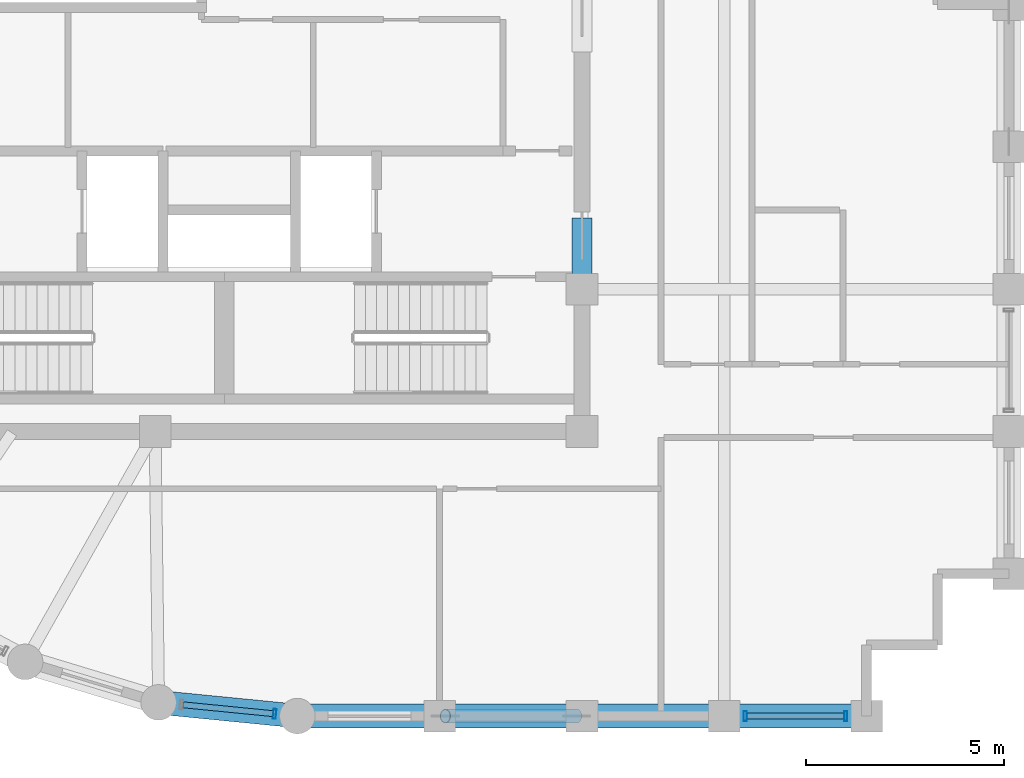
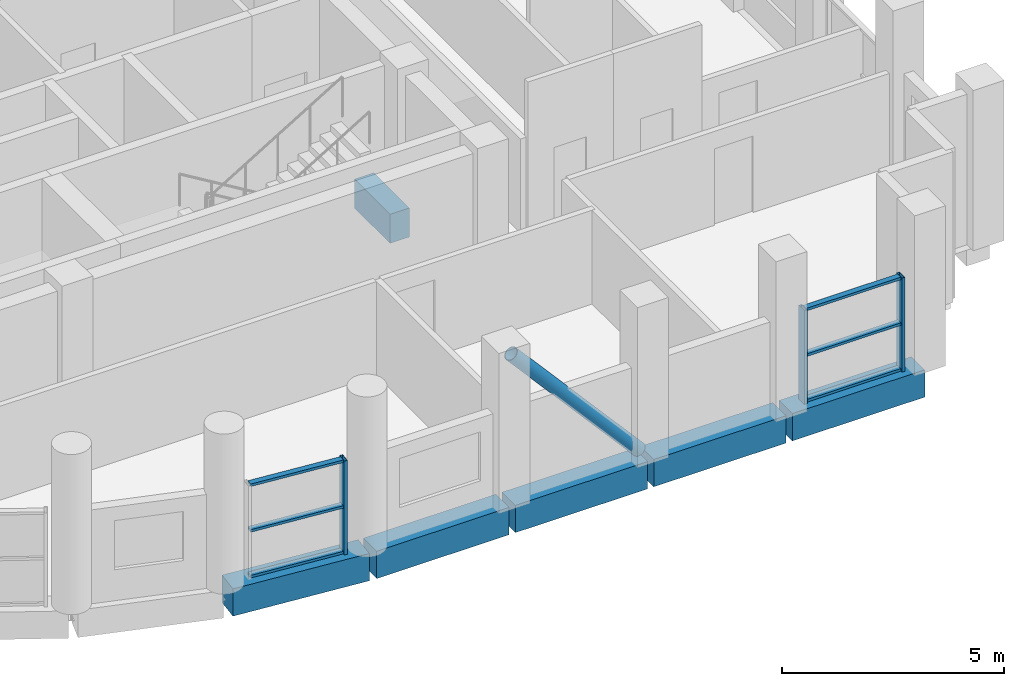
# One storey, part 3 of 14: 10 members, 6 beams, 2 elements without a shape of their own.
"""IFC4 building model written with IfcOpenShell, lengths in metres."""

from ifc_helpers import new_model, si_unit, direction, frame, origin, origin_2d, place, context, subcontext, project, spatial, rectangle, hollow_rectangle, hollow_circle, extrude, material, layer, layer_set, material_profile, profile_set, type_object, element, aggregate, save


model = new_model("IFC4")

# Units and contexts
model_context = context("Model", 3, precision=1e-05, world=origin(), true_north=direction((0.0, 1.0)))
body_context = subcontext(model_context, "Body", "Model", "MODEL_VIEW")
ifc_project = project(units=[si_unit("LENGTHUNIT", "METRE"), si_unit("AREAUNIT", "SQUARE_METRE"), si_unit("VOLUMEUNIT", "CUBIC_METRE"), si_unit("PLANEANGLEUNIT", "RADIAN"), si_unit("MASSUNIT", "GRAM", prefix="KILO")], contexts=[model_context])

# Site, building, storey
site_placement = place(None, origin())
site = spatial("IfcSite", under=ifc_project, at=site_placement, CompositionType="ELEMENT")
building_placement = place(site_placement, origin())
building = spatial("IfcBuilding", under=site, at=building_placement, Name="Solnavia Interchange Tower", CompositionType="ELEMENT")
storey_placement = place(building_placement, frame((0.0, 0.0, 299.800048828125)))
storey = spatial("IfcBuildingStorey", under=building, at=storey_placement, Name="L76", CompositionType="ELEMENT", Elevation=299.800048828125)

# Beams
ifc_material_1 = material(Name="Concrete C50/60", Category="concrete")
ifc_material_profile_1 = material_profile(ifc_material_1, rectangle(XDim=0.5, YDim=0.800048828125, at=origin_2d()), Name="RC 500x800")
ifc_profile_set_1 = profile_set([ifc_material_profile_1], Name="Concrete C50/60")
beam_type_1 = type_object("IfcBeamType", Name="Beam-Coupling-RC500x800", PredefinedType="LINTEL", material=ifc_profile_set_1)
beam_1_placement = place(storey_placement, frame((32.39990234375, 14.60009765625, -0.400146484375), z_axis=(0.0, 1.0, 0.0), x_axis=(-1.0, 0.0, 0.0)))
element("IfcBeam", 1, at=beam_1_placement, inside=storey, type_object=beam_type_1, Name="CPB-L76-E1 Core coupling lintel beam", PredefinedType="LINTEL", context=body_context, shape_type="SweptSolid", body=[
    extrude(rectangle(XDim=0.5, YDim=0.800048828125, at=origin_2d()), origin(), (0.0, 0.0, 1.0), 1.599853515625),
])
ifc_material_profile_2 = material_profile(ifc_material_1, rectangle(XDim=0.60009765625, YDim=0.75, at=origin_2d()), Name="RC 600x750")
ifc_profile_set_2 = profile_set([ifc_material_profile_2], Name="Concrete C50/60")
beam_type_2 = type_object("IfcBeamType", Name="Beam-Spandrel-RC600x750", PredefinedType="SPANDREL", material=ifc_profile_set_2)
beam_2_placement = place(storey_placement, frame((21.767578125, 3.938232421875, -0.375), z_axis=(0.995181774609, -0.098047108501, 0.0), x_axis=(0.098047108501, 0.995181774609, 0.0)))
element("IfcBeam", 2, at=beam_2_placement, inside=storey, type_object=beam_type_2, Name="SPB-L76-08 Framed-tube perimeter spandrel beam", PredefinedType="SPANDREL", context=body_context, shape_type="SweptSolid", body=[
    extrude(rectangle(XDim=0.60009765625, YDim=0.75, at=origin_2d()), origin(), (0.0, 0.0, 1.0), 3.368896484375),
])
beam_3_placement = place(storey_placement, frame((25.280029296875, 3.60009765625, -0.375), z_axis=(1.0, 0.0, 0.0), x_axis=(0.0, 1.0, 0.0)))
element("IfcBeam", 3, at=beam_3_placement, inside=storey, type_object=beam_type_2, Name="SPB-L76-09 Framed-tube perimeter spandrel beam", PredefinedType="SPANDREL", context=body_context, shape_type="SweptSolid", body=[
    extrude(rectangle(XDim=0.60009765625, YDim=0.75, at=origin_2d()), origin(), (0.0, 0.0, 1.0), 3.43994140625),
])
beam_4_placement = place(storey_placement, frame((28.8798828125, 3.60009765625, -0.375), z_axis=(1.0, 0.0, 0.0), x_axis=(0.0, 1.0, 0.0)))
element("IfcBeam", 4, at=beam_4_placement, inside=storey, type_object=beam_type_2, Name="SPB-L76-10 Framed-tube perimeter spandrel beam", PredefinedType="SPANDREL", context=body_context, shape_type="SweptSolid", body=[
    extrude(rectangle(XDim=0.60009765625, YDim=0.75, at=origin_2d()), origin(), (0.0, 0.0, 1.0), 3.440185546875),
])
for number, where, z_axis, x_axis, name in (
    (5, (32.47998046875, 3.60009765625, -0.375), (1.0, 0.0, 0.0), (0.0, 1.0, 0.0), "SPB-L76-11 Framed-tube perimeter spandrel beam"),
    (6, (36.080078125, 3.60009765625, -0.375), (1.0, 0.0, 0.0), (0.0, 1.0, 0.0), "SPB-L76-12 Framed-tube perimeter spandrel beam"),
):
    element("IfcBeam", number, at=place(storey_placement, frame(where, z_axis=z_axis, x_axis=x_axis)), inside=storey, type_object=beam_type_2, Name=name, PredefinedType="SPANDREL", context=body_context, shape_type="SweptSolid", body=[
        extrude(rectangle(XDim=0.60009765625, YDim=0.75, at=origin_2d()), origin(), (0.0, 0.0, 1.0), 3.43994140625),
    ])

# Member
ifc_material_2 = material(Name="Steel S460", Category="steel")
ifc_material_profile_3 = material_profile(ifc_material_2, hollow_circle(Radius=0.177734375, WallThickness=0.01611328125, at=origin_2d()), Name="CHS 355.6x16")
ifc_profile_set_3 = profile_set([ifc_material_profile_3], Name="Steel S460")
member_type_1 = type_object("IfcMemberType", Name="Brace-Perim-CHS355", PredefinedType="BRACE", material=ifc_profile_set_3)
member_1_placement = place(storey_placement, frame((32.260009765625, 3.60009765625, 0.179931640625), z_axis=(-0.658929871305, 0.0, 0.75220437695), x_axis=(0.0, -1.0, 0.0)))
element("IfcMember", 7, at=member_1_placement, inside=storey, type_object=member_type_1, Name="BRC-L76-01 Perimeter tube diagonal brace", PredefinedType="BRACE", context=body_context, shape_type="SweptSolid", body=[
    extrude(hollow_circle(Radius=0.177734375, WallThickness=0.01611328125, at=origin_2d()), origin(), (0.0, 0.0, 1.0), 5.03857421875),
])

# Curtain wall, members
ifc_material_3 = material(Name="Aluminium Alloy 6063-T6", Category="aluminium")
ifc_layer = layer(ifc_material_3, 0.27001953125)
ifc_layer_set = layer_set([ifc_layer], Name="Aluminium Alloy 6063-T6")
curtain_wall_type = type_object("IfcCurtainWallType", Name="CurtainWall-SkyLobby-CTW4", PredefinedType="NOTDEFINED", material=ifc_layer_set)
curtain_wall_1_placement = place(storey_placement, origin())
curtain_wall_1 = element("IfcCurtainWall", 8, at=curtain_wall_1_placement, inside=storey, type_object=curtain_wall_type, Name="CTW-L76-S04 CTW-4 curtain wall", PredefinedType="NOTDEFINED")
ifc_material_profile_4 = material_profile(ifc_material_3, hollow_rectangle(XDim=0.080078125, YDim=0.25, WallThickness=0.006103515625, at=origin_2d()), Name="ALU 250x80x6")
ifc_profile_set_4 = profile_set([ifc_material_profile_4], Name="Aluminium Alloy 6063-T6")
member_type_2 = type_object("IfcMemberType", Name="CW-Mullion-CWM-4", PredefinedType="MULLION", material=ifc_profile_set_4)
member_2_placement = place(storey_placement, frame((36.530029296875, 3.60009765625, 0.0), z_axis=(0.0, 0.0, 1.0), x_axis=(1.0, 0.0, 0.0)))
member_2 = element("IfcMember", 9, at=member_2_placement, type_object=member_type_2, Name="CTW-4 mullion 1", PredefinedType="MULLION", context=body_context, shape_type="SweptSolid", body=[
    extrude(hollow_rectangle(XDim=0.080078125, YDim=0.25, WallThickness=0.006103515625, at=origin_2d()), origin(), (0.0, 0.0, 1.0), 2.579833984375),
])
member_3_placement = place(storey_placement, frame((39.070068359375, 3.60009765625, 0.0), z_axis=(0.0, 0.0, 1.0), x_axis=(1.0, 0.0, 0.0)))
member_3 = element("IfcMember", 10, at=member_3_placement, type_object=member_type_2, Name="CTW-4 mullion 2", PredefinedType="MULLION", context=body_context, shape_type="SweptSolid", body=[
    extrude(hollow_rectangle(XDim=0.080078125, YDim=0.25, WallThickness=0.006103515625, at=origin_2d()), origin(), (0.0, 0.0, 1.0), 2.579833984375),
])

# Curtain wall, member
curtain_wall_2_placement = place(storey_placement, origin())
curtain_wall_2 = element("IfcCurtainWall", 11, at=curtain_wall_2_placement, inside=storey, type_object=curtain_wall_type, Name="CTW-L76-S44 CTW-4 curtain wall", PredefinedType="NOTDEFINED")
member_4_placement = place(storey_placement, frame((24.622802734375, 3.65673828125, 0.0), z_axis=(0.0, 0.0, 1.0), x_axis=(0.995178481157, -0.098080531415, 0.0)))
member_4 = element("IfcMember", 12, at=member_4_placement, type_object=member_type_2, Name="CTW-4 mullion 2", PredefinedType="MULLION", context=body_context, shape_type="SweptSolid", body=[
    extrude(hollow_rectangle(XDim=0.080078125, YDim=0.25, WallThickness=0.006103515625, at=origin_2d()), origin(), (0.0, 0.0, 1.0), 2.579833984375),
])

# Member
ifc_material_profile_5 = material_profile(ifc_material_3, hollow_rectangle(XDim=0.070068359375, YDim=0.14990234375, WallThickness=0.00439453125, at=origin_2d()), Name="ALU 150x70x4.5")
ifc_profile_set_5 = profile_set([ifc_material_profile_5], Name="Aluminium Alloy 6063-T6")
member_type_3 = type_object("IfcMemberType", Name="CW-Transom-CWT-4", PredefinedType="USERDEFINED", material=ifc_profile_set_5)
member_5_placement = place(storey_placement, frame((36.570068359375, 3.60009765625, 0.034912109375), z_axis=(1.0, 0.0, 0.0), x_axis=(0.0, 0.0, 1.0)))
member_5 = element("IfcMember", 13, at=member_5_placement, type_object=member_type_3, Name="CTW-4 transom 1.1", ObjectType="TRANSOM", PredefinedType="USERDEFINED", context=body_context, shape_type="SweptSolid", body=[
    extrude(hollow_rectangle(XDim=0.070068359375, YDim=0.14990234375, WallThickness=0.00439453125, at=origin_2d()), origin(), (0.0, 0.0, 1.0), 2.4599609375),
])

member_6_placement = place(storey_placement, frame((36.570068359375, 3.60009765625, 1.2900390625), z_axis=(1.0, 0.0, 0.0), x_axis=(0.0, 0.0, 1.0)))
member_6 = element("IfcMember", 14, at=member_6_placement, type_object=member_type_3, Name="CTW-4 transom 1.2", ObjectType="TRANSOM", PredefinedType="USERDEFINED", context=body_context, shape_type="SweptSolid", body=[
    extrude(hollow_rectangle(XDim=0.070068359375, YDim=0.14990234375, WallThickness=0.00439453125, at=origin_2d()), origin(), (0.0, 0.0, 1.0), 2.4599609375),
])

member_7_placement = place(storey_placement, frame((36.570068359375, 3.60009765625, 2.544921875), z_axis=(1.0, 0.0, 0.0), x_axis=(0.0, 0.0, 1.0)))
member_7 = element("IfcMember", 15, at=member_7_placement, type_object=member_type_3, Name="CTW-4 transom 1.3", ObjectType="TRANSOM", PredefinedType="USERDEFINED", context=body_context, shape_type="SweptSolid", body=[
    extrude(hollow_rectangle(XDim=0.070068359375, YDim=0.14990234375, WallThickness=0.00439453125, at=origin_2d()), origin(), (0.0, 0.0, 1.0), 2.4599609375),
])

aggregate(curtain_wall_1, [member_2, member_3, member_5, member_6, member_7])

member_8_placement = place(storey_placement, frame((22.304931640625, 3.88525390625, 0.034912109375), z_axis=(0.99517456013, -0.098120308147, 0.0), x_axis=(0.0, 0.0, 1.0)))
member_8 = element("IfcMember", 16, at=member_8_placement, type_object=member_type_3, Name="CTW-4 transom 1.1", ObjectType="TRANSOM", PredefinedType="USERDEFINED", context=body_context, shape_type="SweptSolid", body=[
    extrude(hollow_rectangle(XDim=0.070068359375, YDim=0.14990234375, WallThickness=0.00439453125, at=origin_2d()), origin(), (0.0, 0.0, 1.0), 2.2890625),
])

member_9_placement = place(storey_placement, frame((22.304931640625, 3.88525390625, 1.2900390625), z_axis=(0.99517456013, -0.098120308147, 0.0), x_axis=(0.0, 0.0, 1.0)))
member_9 = element("IfcMember", 17, at=member_9_placement, type_object=member_type_3, Name="CTW-4 transom 1.2", ObjectType="TRANSOM", PredefinedType="USERDEFINED", context=body_context, shape_type="SweptSolid", body=[
    extrude(hollow_rectangle(XDim=0.070068359375, YDim=0.14990234375, WallThickness=0.00439453125, at=origin_2d()), origin(), (0.0, 0.0, 1.0), 2.2890625),
])

member_10_placement = place(storey_placement, frame((22.304931640625, 3.88525390625, 2.544921875), z_axis=(0.99517456013, -0.098120308147, 0.0), x_axis=(0.0, 0.0, 1.0)))
member_10 = element("IfcMember", 18, at=member_10_placement, type_object=member_type_3, Name="CTW-4 transom 1.3", ObjectType="TRANSOM", PredefinedType="USERDEFINED", context=body_context, shape_type="SweptSolid", body=[
    extrude(hollow_rectangle(XDim=0.070068359375, YDim=0.14990234375, WallThickness=0.00439453125, at=origin_2d()), origin(), (0.0, 0.0, 1.0), 2.2890625),
])

aggregate(curtain_wall_2, [member_4, member_8, member_9, member_10])

save(model, "model.ifc")
